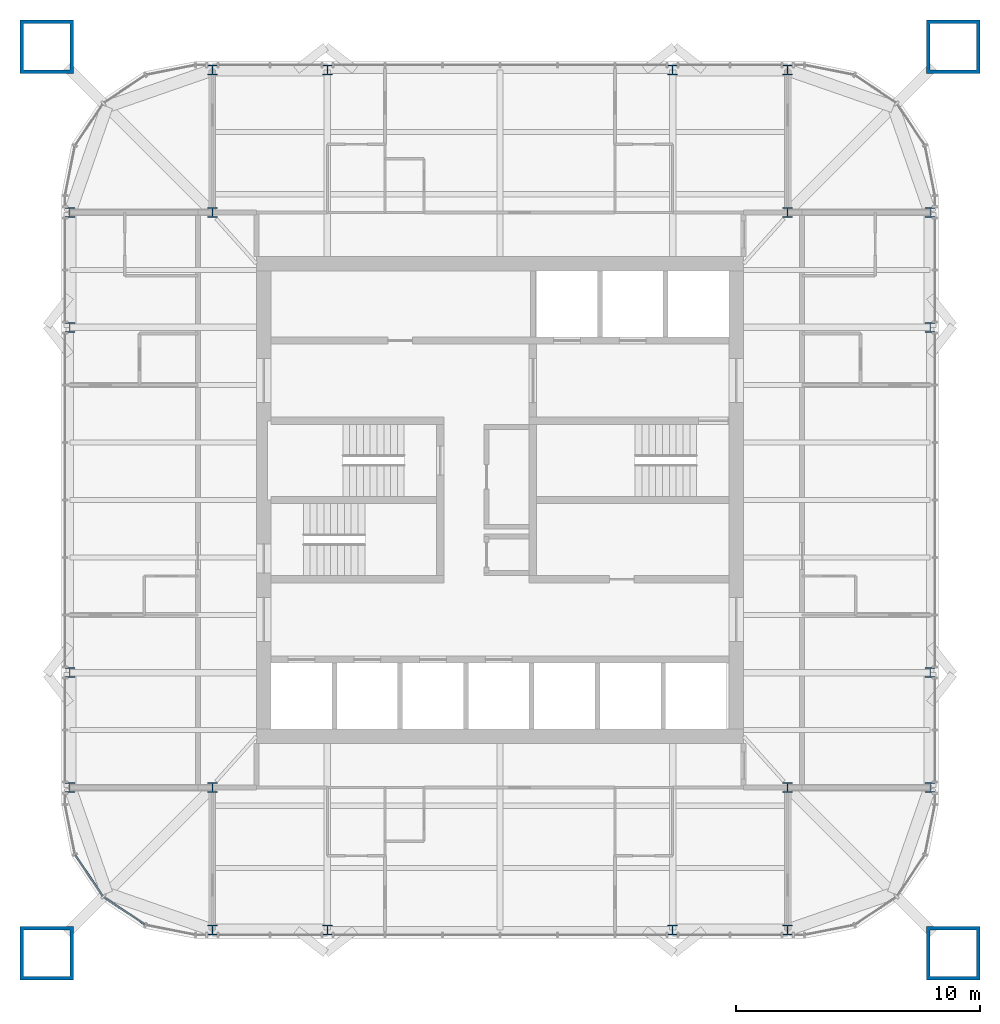
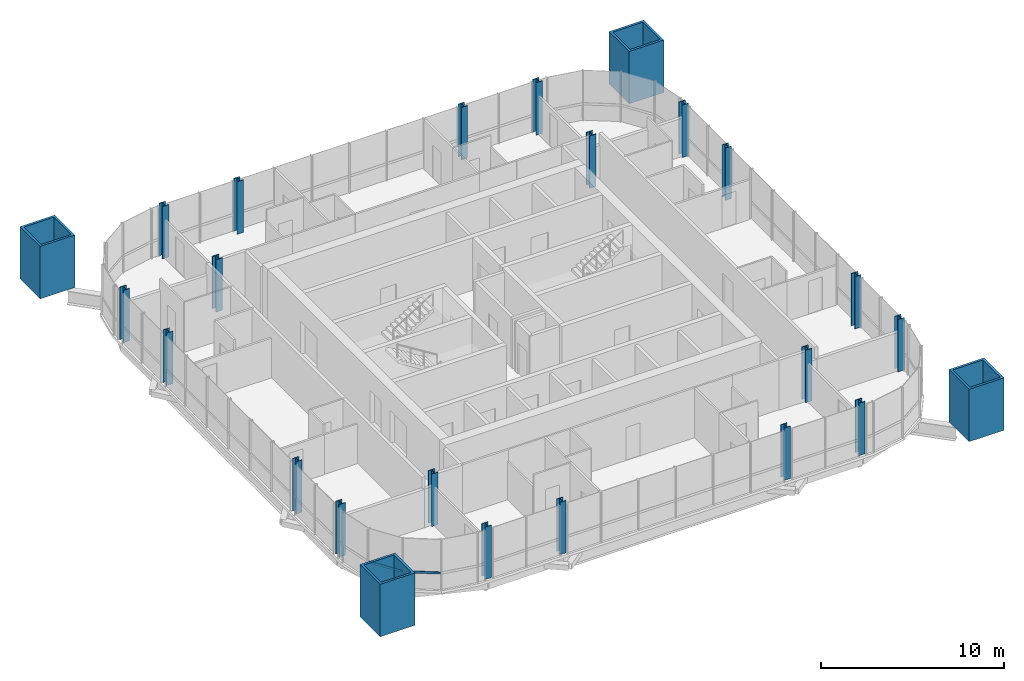
# One storey, part 1 of 17: 24 columns, 2 members, 1 element without a shape of its own.
"""IFC4 building model written with IfcOpenShell, lengths in metres."""

from ifc_helpers import new_model, si_unit, direction, frame, origin, origin_2d, place, context, subcontext, project, spatial, rectangle, hollow_rectangle, i_section, extrude, material, material_profile, profile_set, type_object, element, aggregate, save


model = new_model("IFC4")

# Units and contexts
model_context = context("Model", 3, precision=1e-05, world=origin(), true_north=direction((0.0, 1.0)))
body_context = subcontext(model_context, "Body", "Model", "MODEL_VIEW")
ifc_project = project(units=[si_unit("LENGTHUNIT", "METRE"), si_unit("AREAUNIT", "SQUARE_METRE"), si_unit("VOLUMEUNIT", "CUBIC_METRE"), si_unit("PLANEANGLEUNIT", "RADIAN"), si_unit("MASSUNIT", "GRAM", prefix="KILO")], contexts=[model_context])

# Site, building, storey
site_placement = place(None, origin())
site = spatial("IfcSite", under=ifc_project, at=site_placement, CompositionType="ELEMENT")
building_placement = place(site_placement, origin())
building = spatial("IfcBuilding", under=site, at=building_placement, Name="Turquesa Mirador Hotel Tower", CompositionType="ELEMENT")
storey_placement = place(building_placement, frame((0.0, 0.0, 258.199951171875)))
storey = spatial("IfcBuildingStorey", under=building, at=storey_placement, Name="L70", CompositionType="ELEMENT", Elevation=258.199951171875)

# Columns
ifc_material_1 = material(Name="Steel ASTM A992 Grade 50", Category="steel")
ifc_material_profile_1 = material_profile(ifc_material_1, i_section(OverallWidth=0.398681640625, OverallDepth=0.393798828125, WebThickness=0.022705078125, FlangeThickness=0.03662109375, at=origin_2d()), Name="W14X193")
ifc_profile_set_1 = profile_set([ifc_material_profile_1], Name="Steel ASTM A992 Grade 50")
column_type_1 = type_object("IfcColumnType", Name="COLUMN W14X193", PredefinedType="COLUMN", material=ifc_profile_set_1)
for number, where, z_axis, x_axis, name in (
    (1, (37.35009765625, 33.199951171875, 0.0), (0.0, 0.0, 1.0), (1.0, 0.0, 0.0), "COL-L70-P--17.65--11.80"),
    (2, (37.35009765625, 37.919921875, 0.0), (0.0, 0.0, 1.0), (1.0, 0.0, 0.0), "COL-L70-P--17.65--7.08"),
    (3, (37.35009765625, 52.080078125, 0.0), (0.0, 0.0, 1.0), (1.0, 0.0, 0.0), "COL-L70-P--17.65-+7.08"),
    (4, (37.35009765625, 56.800048828125, 0.0), (0.0, 0.0, 1.0), (1.0, 0.0, 0.0), "COL-L70-P--17.65-+11.80"),
    (5, (43.199951171875, 27.35009765625, 0.0), (0.0, 0.0, 1.0), (1.0, 0.0, 0.0), "COL-L70-P--11.80--17.65"),
    (6, (43.199951171875, 62.64990234375, 0.0), (0.0, 0.0, 1.0), (1.0, 0.0, 0.0), "COL-L70-P--11.80-+17.65"),
    (7, (47.919921875, 27.35009765625, 0.0), (0.0, 0.0, 1.0), (1.0, 0.0, 0.0), "COL-L70-P--7.08--17.65"),
    (8, (47.919921875, 62.64990234375, 0.0), (0.0, 0.0, 1.0), (1.0, 0.0, 0.0), "COL-L70-P--7.08-+17.65"),
    (9, (62.080078125, 27.35009765625, 0.0), (0.0, 0.0, 1.0), (1.0, 0.0, 0.0), "COL-L70-P-+7.08--17.65"),
    (10, (62.080078125, 62.64990234375, 0.0), (0.0, 0.0, 1.0), (1.0, 0.0, 0.0), "COL-L70-P-+7.08-+17.65"),
    (11, (66.800048828125, 27.35009765625, 0.0), (0.0, 0.0, 1.0), (1.0, 0.0, 0.0), "COL-L70-P-+11.80--17.65"),
    (12, (66.800048828125, 62.64990234375, 0.0), (0.0, 0.0, 1.0), (1.0, 0.0, 0.0), "COL-L70-P-+11.80-+17.65"),
    (13, (72.64990234375, 33.199951171875, 0.0), (0.0, 0.0, 1.0), (1.0, 0.0, 0.0), "COL-L70-P-+17.65--11.80"),
    (14, (72.64990234375, 37.919921875, 0.0), (0.0, 0.0, 1.0), (1.0, 0.0, 0.0), "COL-L70-P-+17.65--7.08"),
    (15, (72.64990234375, 52.080078125, 0.0), (0.0, 0.0, 1.0), (1.0, 0.0, 0.0), "COL-L70-P-+17.65-+7.08"),
    (16, (72.64990234375, 56.800048828125, 0.0), (0.0, 0.0, 1.0), (1.0, 0.0, 0.0), "COL-L70-P-+17.65-+11.80"),
):
    element("IfcColumn", number, at=place(storey_placement, frame(where, z_axis=z_axis, x_axis=x_axis)), inside=storey, type_object=column_type_1, Name=name, PredefinedType="COLUMN", context=body_context, shape_type="SweptSolid", body=[
        extrude(i_section(OverallWidth=0.398681640625, OverallDepth=0.393798828125, WebThickness=0.022705078125, FlangeThickness=0.03662109375, at=origin_2d()), origin(), (0.0, 0.0, 1.0), 3.5),
    ])
ifc_material_2 = material(Name="Steel ASTM A992 Grade 50", Category="steel")
ifc_material_profile_2 = material_profile(ifc_material_2, i_section(OverallWidth=0.406494140625, OverallDepth=0.41650390625, WebThickness=0.030029296875, FlangeThickness=0.048095703125, at=origin_2d()), Name="W14X257")
ifc_profile_set_2 = profile_set([ifc_material_profile_2], Name="Steel ASTM A992 Grade 50")
column_type_2 = type_object("IfcColumnType", Name="COLUMN W14X257", PredefinedType="COLUMN", material=ifc_profile_set_2)
for number, where, z_axis, x_axis, name in (
    (17, (43.199951171875, 33.199951171875, 0.0), (0.0, 0.0, 1.0), (1.0, 0.0, 0.0), "COL-L70-K--11.80--11.80"),
    (18, (43.199951171875, 56.800048828125, 0.0), (0.0, 0.0, 1.0), (1.0, 0.0, 0.0), "COL-L70-K--11.80-+11.80"),
    (19, (66.800048828125, 33.199951171875, 0.0), (0.0, 0.0, 1.0), (1.0, 0.0, 0.0), "COL-L70-K-+11.80--11.80"),
    (20, (66.800048828125, 56.800048828125, 0.0), (0.0, 0.0, 1.0), (1.0, 0.0, 0.0), "COL-L70-K-+11.80-+11.80"),
):
    element("IfcColumn", number, at=place(storey_placement, frame(where, z_axis=z_axis, x_axis=x_axis)), inside=storey, type_object=column_type_2, Name=name, PredefinedType="COLUMN", context=body_context, shape_type="SweptSolid", body=[
        extrude(i_section(OverallWidth=0.406494140625, OverallDepth=0.41650390625, WebThickness=0.030029296875, FlangeThickness=0.048095703125, at=origin_2d()), origin(), (0.0, 0.0, 1.0), 3.5),
    ])
ifc_material_3 = material(Name="Steel ASTM A514 Grade Q", Category="steel")
ifc_material_profile_3 = material_profile(ifc_material_3, hollow_rectangle(XDim=2.199951171875, YDim=2.199951171875, WallThickness=0.14990234375, at=origin_2d()), Name="BOX2200X2200X150")
ifc_profile_set_3 = profile_set([ifc_material_profile_3], Name="Steel ASTM A514 Grade Q")
column_type_3 = type_object("IfcColumnType", Name="MEGA COLUMN BOX2200X2200X150", PredefinedType="COLUMN", material=ifc_profile_set_3)
for number, where, z_axis, x_axis, name in (
    (21, (73.60009765625, 63.60009765625, 0.0), (0.0, 0.0, 1.0), (1.0, 0.0, 0.0), "Mega column M1"),
    (22, (36.39990234375, 63.60009765625, 0.0), (0.0, 0.0, 1.0), (1.0, 0.0, 0.0), "Mega column M2"),
    (23, (36.39990234375, 26.39990234375, 0.0), (0.0, 0.0, 1.0), (1.0, 0.0, 0.0), "Mega column M3"),
    (24, (73.60009765625, 26.39990234375, 0.0), (0.0, 0.0, 1.0), (1.0, 0.0, 0.0), "Mega column M4"),
):
    element("IfcColumn", number, at=place(storey_placement, frame(where, z_axis=z_axis, x_axis=x_axis)), inside=storey, type_object=column_type_3, Name=name, PredefinedType="COLUMN", context=body_context, shape_type="SweptSolid", body=[
        extrude(hollow_rectangle(XDim=2.199951171875, YDim=2.199951171875, WallThickness=0.14990234375, at=origin_2d()), origin(), (0.0, 0.0, 1.0), 3.5),
    ])

# Curtain wall, members
ifc_material_4 = material(Name="Aluminium extrusion", Category="aluminium")
curtain_wall_type = type_object("IfcCurtainWallType", Name="CW-4 SUITE FRITTED CURTAIN WALL", PredefinedType="USERDEFINED", material=ifc_material_4)
curtain_wall_placement = place(storey_placement, origin())
curtain_wall = element("IfcCurtainWall", 25, at=curtain_wall_placement, inside=storey, type_object=curtain_wall_type, Name="CW-4 SUITE FRITTED CURTAIN WALL L70", ObjectType="CURTAIN WALL", PredefinedType="USERDEFINED")
ifc_material_5 = material(Name="Aluminium extrusion", Category="aluminium")
ifc_material_profile_4 = material_profile(ifc_material_5, rectangle(XDim=0.06494140625, YDim=0.14990234375, at=origin_2d()), Name="TRANSOM 65X150")
ifc_profile_set_4 = profile_set([ifc_material_profile_4], Name="Aluminium extrusion")
member_type = type_object("IfcMemberType", Name="CW TRANSOM 65X150", PredefinedType="USERDEFINED", material=ifc_profile_set_4)
member_1_placement = place(storey_placement, frame((37.5751953125, 30.425537109375, 1.10009765625), z_axis=(0.555619095835, -0.831436961136, 0.0), x_axis=(0.831436961136, 0.555619095835, 0.0)))
member_1 = element("IfcMember", 26, at=member_1_placement, type_object=member_type, Name="Transom", ObjectType="TRANSOM", PredefinedType="USERDEFINED", context=body_context, shape_type="SweptSolid", body=[
    extrude(rectangle(XDim=0.06494140625, YDim=0.14990234375, at=origin_2d()), origin(), (0.0, 0.0, 1.0), 2.0224609375),
])
member_2_placement = place(storey_placement, frame((38.743896484375, 28.698974609375, 1.10009765625), z_axis=(0.831436961136, -0.555619095835, 0.0), x_axis=(0.555619095835, 0.831436961136, 0.0)))
member_2 = element("IfcMember", 27, at=member_2_placement, type_object=member_type, Name="Transom", ObjectType="TRANSOM", PredefinedType="USERDEFINED", context=body_context, shape_type="SweptSolid", body=[
    extrude(rectangle(XDim=0.06494140625, YDim=0.14990234375, at=origin_2d()), origin(), (0.0, 0.0, 1.0), 2.0224609375),
])
aggregate(curtain_wall, [member_1, member_2])

save(model, "model.ifc")
